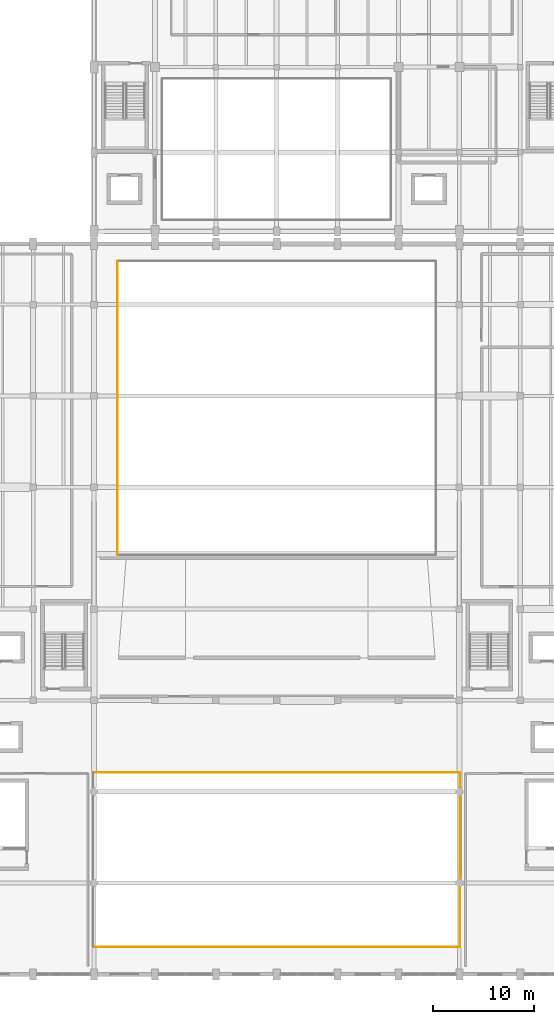
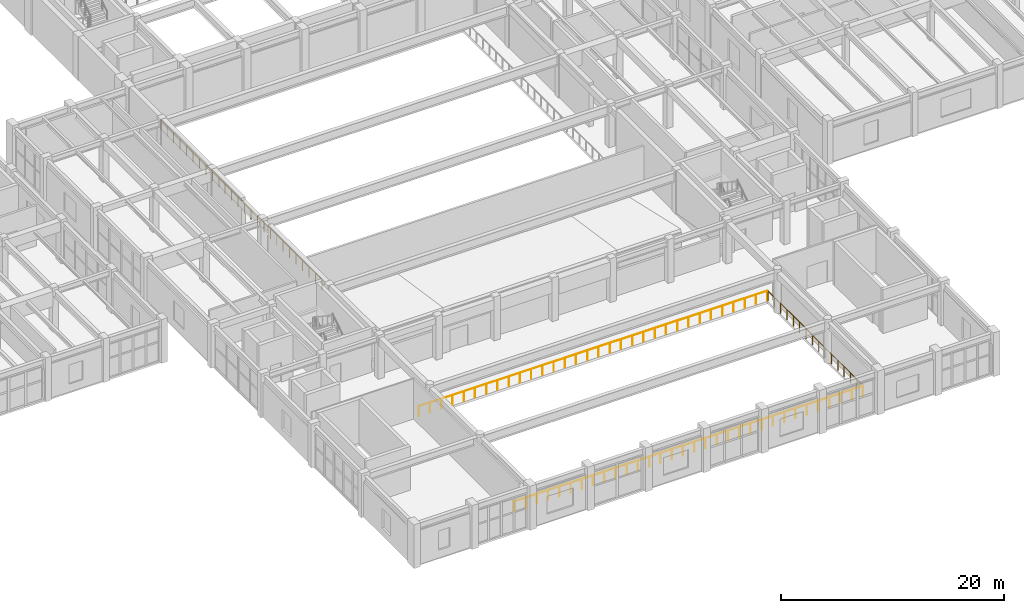
# One storey, part 71 of 80: 4 railings.
"""IFC4 building model written with IfcOpenShell, lengths in metres."""

from ifc_helpers import new_model, si_unit, direction, frame, origin, origin_2d, place, context, subcontext, project, spatial, circle, extrude, material, type_object, element, save


model = new_model("IFC4")

# Units and contexts
model_context = context("Model", 3, precision=1e-05, world=origin(), true_north=direction((0.0, 1.0)))
body_context = subcontext(model_context, "Body", "Model", "MODEL_VIEW")
ifc_project = project(units=[si_unit("LENGTHUNIT", "METRE"), si_unit("AREAUNIT", "SQUARE_METRE"), si_unit("VOLUMEUNIT", "CUBIC_METRE"), si_unit("PLANEANGLEUNIT", "RADIAN"), si_unit("MASSUNIT", "GRAM", prefix="KILO")], contexts=[model_context])

# Site, building, storey
site_placement = place(None, origin())
site = spatial("IfcSite", under=ifc_project, at=site_placement, CompositionType="ELEMENT")
building_placement = place(site_placement, origin())
building = spatial("IfcBuilding", under=site, at=building_placement, Name="Vaelkrest Opera House", CompositionType="ELEMENT")
storey_placement = place(building_placement, frame((0.0, 0.0, 15.0)))
storey = spatial("IfcBuildingStorey", under=building, at=storey_placement, Name="L03", CompositionType="ELEMENT", Elevation=15.0)

# Railings
ifc_material = material(Name="Dark bronze anodized aluminium", Category="aluminium")
railing_type = type_object("IfcRailingType", Name="BL01", PredefinedType="BALUSTRADE", material=ifc_material)
railing_1_placement = place(storey_placement, frame((-15.679931640625, 14.43994140625, 0.0)))
element("IfcRailing", 1, at=railing_1_placement, inside=storey, type_object=railing_type, Name="Atrium/stage void guard V1 L03-1 seg 4", PredefinedType="BALUSTRADE", context=body_context, shape_type="SweptSolid", body=[
    extrude(circle(Radius=0.02392578125, at=origin_2d()), frame((0.0, 0.0, 1.09619140625), z_axis=(0.0, -1.0, 0.0), x_axis=(1.0, 0.0, 0.0)), (0.0, 0.0, 1.0), 28.8798828125),
    extrude(circle(Radius=0.02099609375, at=origin_2d()), origin(), (0.0, 0.0, 1.0), 1.072021484375),
    extrude(circle(Radius=0.02099609375, at=origin_2d()), frame((0.0, -1.1552734375, 0.0)), (0.0, 0.0, 1.0), 1.072021484375),
    extrude(circle(Radius=0.02099609375, at=origin_2d()), frame((0.0, -2.310302734375, 0.0)), (0.0, 0.0, 1.0), 1.072021484375),
    extrude(circle(Radius=0.02099609375, at=origin_2d()), frame((0.0, -3.465576171875, 0.0)), (0.0, 0.0, 1.0), 1.072021484375),
    extrude(circle(Radius=0.02099609375, at=origin_2d()), frame((0.0, -4.620849609375, 0.0)), (0.0, 0.0, 1.0), 1.072021484375),
    extrude(circle(Radius=0.02099609375, at=origin_2d()), frame((0.0, -5.77587890625, 0.0)), (0.0, 0.0, 1.0), 1.072021484375),
    extrude(circle(Radius=0.02099609375, at=origin_2d()), frame((0.0, -6.93115234375, 0.0)), (0.0, 0.0, 1.0), 1.072021484375),
    extrude(circle(Radius=0.02099609375, at=origin_2d()), frame((0.0, -8.08642578125, 0.0)), (0.0, 0.0, 1.0), 1.072021484375),
    extrude(circle(Radius=0.02099609375, at=origin_2d()), frame((0.0, -9.241455078125, 0.0)), (0.0, 0.0, 1.0), 1.072021484375),
    extrude(circle(Radius=0.02099609375, at=origin_2d()), frame((0.0, -10.396728515625, 0.0)), (0.0, 0.0, 1.0), 1.072021484375),
    extrude(circle(Radius=0.02099609375, at=origin_2d()), frame((0.0, -11.552001953125, 0.0)), (0.0, 0.0, 1.0), 1.072021484375),
    extrude(circle(Radius=0.02099609375, at=origin_2d()), frame((0.0, -12.70703125, 0.0)), (0.0, 0.0, 1.0), 1.072021484375),
    extrude(circle(Radius=0.02099609375, at=origin_2d()), frame((0.0, -13.8623046875, 0.0)), (0.0, 0.0, 1.0), 1.072021484375),
    extrude(circle(Radius=0.02099609375, at=origin_2d()), frame((0.0, -15.017578125, 0.0)), (0.0, 0.0, 1.0), 1.072021484375),
    extrude(circle(Radius=0.02099609375, at=origin_2d()), frame((0.0, -16.1728515625, 0.0)), (0.0, 0.0, 1.0), 1.072021484375),
    extrude(circle(Radius=0.02099609375, at=origin_2d()), frame((0.0, -17.327880859375, 0.0)), (0.0, 0.0, 1.0), 1.072021484375),
    extrude(circle(Radius=0.02099609375, at=origin_2d()), frame((0.0, -18.483154296875, 0.0)), (0.0, 0.0, 1.0), 1.072021484375),
    extrude(circle(Radius=0.02099609375, at=origin_2d()), frame((0.0, -19.638427734375, 0.0)), (0.0, 0.0, 1.0), 1.072021484375),
    extrude(circle(Radius=0.02099609375, at=origin_2d()), frame((0.0, -20.79345703125, 0.0)), (0.0, 0.0, 1.0), 1.072021484375),
    extrude(circle(Radius=0.02099609375, at=origin_2d()), frame((0.0, -21.94873046875, 0.0)), (0.0, 0.0, 1.0), 1.072021484375),
    extrude(circle(Radius=0.02099609375, at=origin_2d()), frame((0.0, -23.10400390625, 0.0)), (0.0, 0.0, 1.0), 1.072021484375),
    extrude(circle(Radius=0.02099609375, at=origin_2d()), frame((0.0, -24.259033203125, 0.0)), (0.0, 0.0, 1.0), 1.072021484375),
    extrude(circle(Radius=0.02099609375, at=origin_2d()), frame((0.0, -25.414306640625, 0.0)), (0.0, 0.0, 1.0), 1.072021484375),
    extrude(circle(Radius=0.02099609375, at=origin_2d()), frame((0.0, -26.569580078125, 0.0)), (0.0, 0.0, 1.0), 1.072021484375),
    extrude(circle(Radius=0.02099609375, at=origin_2d()), frame((0.0, -27.724609375, 0.0)), (0.0, 0.0, 1.0), 1.072021484375),
    extrude(circle(Radius=0.02099609375, at=origin_2d()), frame((0.0, -28.8798828125, 0.0)), (0.0, 0.0, 1.0), 1.072021484375),
])
railing_2_placement = place(storey_placement, frame((-18.0400390625, -53.080078125, 0.0)))
element("IfcRailing", 2, at=railing_2_placement, inside=storey, type_object=railing_type, Name="Atrium/stage void guard V1 L03-2 seg 1", PredefinedType="BALUSTRADE", context=body_context, shape_type="SweptSolid", body=[
    extrude(circle(Radius=0.02392578125, at=origin_2d()), frame((0.0, 0.0, 1.09619140625), z_axis=(1.0, 0.0, 0.0), x_axis=(0.0, 1.0, 0.0)), (0.0, 0.0, 1.0), 36.080078125),
    extrude(circle(Radius=0.02099609375, at=origin_2d()), origin(), (0.0, 0.0, 1.0), 1.072021484375),
    extrude(circle(Radius=0.02099609375, at=origin_2d()), frame((1.163818359375, 0.0, 0.0)), (0.0, 0.0, 1.0), 1.072021484375),
    extrude(circle(Radius=0.02099609375, at=origin_2d()), frame((2.32763671875, 0.0, 0.0)), (0.0, 0.0, 1.0), 1.072021484375),
    extrude(circle(Radius=0.02099609375, at=origin_2d()), frame((3.49169921875, 0.0, 0.0)), (0.0, 0.0, 1.0), 1.072021484375),
    extrude(circle(Radius=0.02099609375, at=origin_2d()), frame((4.655517578125, 0.0, 0.0)), (0.0, 0.0, 1.0), 1.072021484375),
    extrude(circle(Radius=0.02099609375, at=origin_2d()), frame((5.8193359375, 0.0, 0.0)), (0.0, 0.0, 1.0), 1.072021484375),
    extrude(circle(Radius=0.02099609375, at=origin_2d()), frame((6.983154296875, 0.0, 0.0)), (0.0, 0.0, 1.0), 1.072021484375),
    extrude(circle(Radius=0.02099609375, at=origin_2d()), frame((8.147216796875, 0.0, 0.0)), (0.0, 0.0, 1.0), 1.072021484375),
    extrude(circle(Radius=0.02099609375, at=origin_2d()), frame((9.31103515625, 0.0, 0.0)), (0.0, 0.0, 1.0), 1.072021484375),
    extrude(circle(Radius=0.02099609375, at=origin_2d()), frame((10.474853515625, 0.0, 0.0)), (0.0, 0.0, 1.0), 1.072021484375),
    extrude(circle(Radius=0.02099609375, at=origin_2d()), frame((11.638671875, 0.0, 0.0)), (0.0, 0.0, 1.0), 1.072021484375),
    extrude(circle(Radius=0.02099609375, at=origin_2d()), frame((12.802490234375, 0.0, 0.0)), (0.0, 0.0, 1.0), 1.072021484375),
    extrude(circle(Radius=0.02099609375, at=origin_2d()), frame((13.966552734375, 0.0, 0.0)), (0.0, 0.0, 1.0), 1.072021484375),
    extrude(circle(Radius=0.02099609375, at=origin_2d()), frame((15.13037109375, 0.0, 0.0)), (0.0, 0.0, 1.0), 1.072021484375),
    extrude(circle(Radius=0.02099609375, at=origin_2d()), frame((16.294189453125, 0.0, 0.0)), (0.0, 0.0, 1.0), 1.072021484375),
    extrude(circle(Radius=0.02099609375, at=origin_2d()), frame((17.4580078125, 0.0, 0.0)), (0.0, 0.0, 1.0), 1.072021484375),
    extrude(circle(Radius=0.02099609375, at=origin_2d()), frame((18.6220703125, 0.0, 0.0)), (0.0, 0.0, 1.0), 1.072021484375),
    extrude(circle(Radius=0.02099609375, at=origin_2d()), frame((19.785888671875, 0.0, 0.0)), (0.0, 0.0, 1.0), 1.072021484375),
    extrude(circle(Radius=0.02099609375, at=origin_2d()), frame((20.94970703125, 0.0, 0.0)), (0.0, 0.0, 1.0), 1.072021484375),
    extrude(circle(Radius=0.02099609375, at=origin_2d()), frame((22.113525390625, 0.0, 0.0)), (0.0, 0.0, 1.0), 1.072021484375),
    extrude(circle(Radius=0.02099609375, at=origin_2d()), frame((23.277587890625, 0.0, 0.0)), (0.0, 0.0, 1.0), 1.072021484375),
    extrude(circle(Radius=0.02099609375, at=origin_2d()), frame((24.44140625, 0.0, 0.0)), (0.0, 0.0, 1.0), 1.072021484375),
    extrude(circle(Radius=0.02099609375, at=origin_2d()), frame((25.605224609375, 0.0, 0.0)), (0.0, 0.0, 1.0), 1.072021484375),
    extrude(circle(Radius=0.02099609375, at=origin_2d()), frame((26.76904296875, 0.0, 0.0)), (0.0, 0.0, 1.0), 1.072021484375),
    extrude(circle(Radius=0.02099609375, at=origin_2d()), frame((27.932861328125, 0.0, 0.0)), (0.0, 0.0, 1.0), 1.072021484375),
    extrude(circle(Radius=0.02099609375, at=origin_2d()), frame((29.096923828125, 0.0, 0.0)), (0.0, 0.0, 1.0), 1.072021484375),
    extrude(circle(Radius=0.02099609375, at=origin_2d()), frame((30.2607421875, 0.0, 0.0)), (0.0, 0.0, 1.0), 1.072021484375),
    extrude(circle(Radius=0.02099609375, at=origin_2d()), frame((31.424560546875, 0.0, 0.0)), (0.0, 0.0, 1.0), 1.072021484375),
    extrude(circle(Radius=0.02099609375, at=origin_2d()), frame((32.58837890625, 0.0, 0.0)), (0.0, 0.0, 1.0), 1.072021484375),
    extrude(circle(Radius=0.02099609375, at=origin_2d()), frame((33.75244140625, 0.0, 0.0)), (0.0, 0.0, 1.0), 1.072021484375),
    extrude(circle(Radius=0.02099609375, at=origin_2d()), frame((34.916259765625, 0.0, 0.0)), (0.0, 0.0, 1.0), 1.072021484375),
    extrude(circle(Radius=0.02099609375, at=origin_2d()), frame((36.080078125, 0.0, 0.0)), (0.0, 0.0, 1.0), 1.072021484375),
])
railing_3_placement = place(storey_placement, frame((18.080078125, -53.0400390625, 0.0)))
element("IfcRailing", 3, at=railing_3_placement, inside=storey, type_object=railing_type, Name="Atrium/stage void guard V1 L03-2 seg 2", PredefinedType="BALUSTRADE", context=body_context, shape_type="SweptSolid", body=[
    extrude(circle(Radius=0.02392578125, at=origin_2d()), frame((0.0, 0.0, 1.09619140625), z_axis=(0.0, 1.0, 0.0), x_axis=(-1.0, 0.0, 0.0)), (0.0, 0.0, 1.0), 17.080078125),
    extrude(circle(Radius=0.02099609375, at=origin_2d()), origin(), (0.0, 0.0, 1.0), 1.072021484375),
    extrude(circle(Radius=0.02099609375, at=origin_2d()), frame((0.0, 1.138671875, 0.0)), (0.0, 0.0, 1.0), 1.072021484375),
    extrude(circle(Radius=0.02099609375, at=origin_2d()), frame((0.0, 2.27734375, 0.0)), (0.0, 0.0, 1.0), 1.072021484375),
    extrude(circle(Radius=0.02099609375, at=origin_2d()), frame((0.0, 3.416015625, 0.0)), (0.0, 0.0, 1.0), 1.072021484375),
    extrude(circle(Radius=0.02099609375, at=origin_2d()), frame((0.0, 4.5546875, 0.0)), (0.0, 0.0, 1.0), 1.072021484375),
    extrude(circle(Radius=0.02099609375, at=origin_2d()), frame((0.0, 5.693359375, 0.0)), (0.0, 0.0, 1.0), 1.072021484375),
    extrude(circle(Radius=0.02099609375, at=origin_2d()), frame((0.0, 6.83203125, 0.0)), (0.0, 0.0, 1.0), 1.072021484375),
    extrude(circle(Radius=0.02099609375, at=origin_2d()), frame((0.0, 7.970703125, 0.0)), (0.0, 0.0, 1.0), 1.072021484375),
    extrude(circle(Radius=0.02099609375, at=origin_2d()), frame((0.0, 9.109375, 0.0)), (0.0, 0.0, 1.0), 1.072021484375),
    extrude(circle(Radius=0.02099609375, at=origin_2d()), frame((0.0, 10.248046875, 0.0)), (0.0, 0.0, 1.0), 1.072021484375),
    extrude(circle(Radius=0.02099609375, at=origin_2d()), frame((0.0, 11.38671875, 0.0)), (0.0, 0.0, 1.0), 1.072021484375),
    extrude(circle(Radius=0.02099609375, at=origin_2d()), frame((0.0, 12.525390625, 0.0)), (0.0, 0.0, 1.0), 1.072021484375),
    extrude(circle(Radius=0.02099609375, at=origin_2d()), frame((0.0, 13.6640625, 0.0)), (0.0, 0.0, 1.0), 1.072021484375),
    extrude(circle(Radius=0.02099609375, at=origin_2d()), frame((0.0, 14.802734375, 0.0)), (0.0, 0.0, 1.0), 1.072021484375),
    extrude(circle(Radius=0.02099609375, at=origin_2d()), frame((0.0, 15.94140625, 0.0)), (0.0, 0.0, 1.0), 1.072021484375),
    extrude(circle(Radius=0.02099609375, at=origin_2d()), frame((0.0, 17.080078125, 0.0)), (0.0, 0.0, 1.0), 1.072021484375),
])
railing_4_placement = place(storey_placement, frame((18.0400390625, -35.919921875, 0.0)))
element("IfcRailing", 4, at=railing_4_placement, inside=storey, type_object=railing_type, Name="Atrium/stage void guard V1 L03-2 seg 3", PredefinedType="BALUSTRADE", context=body_context, shape_type="SweptSolid", body=[
    extrude(circle(Radius=0.02392578125, at=origin_2d()), frame((0.0, 0.0, 1.09619140625), z_axis=(-1.0, 0.0, 0.0), x_axis=(0.0, -1.0, 0.0)), (0.0, 0.0, 1.0), 36.080078125),
    extrude(circle(Radius=0.02099609375, at=origin_2d()), origin(), (0.0, 0.0, 1.0), 1.072021484375),
    extrude(circle(Radius=0.02099609375, at=origin_2d()), frame((-1.163818359375, 0.0, 0.0)), (0.0, 0.0, 1.0), 1.072021484375),
    extrude(circle(Radius=0.02099609375, at=origin_2d()), frame((-2.32763671875, 0.0, 0.0)), (0.0, 0.0, 1.0), 1.072021484375),
    extrude(circle(Radius=0.02099609375, at=origin_2d()), frame((-3.49169921875, 0.0, 0.0)), (0.0, 0.0, 1.0), 1.072021484375),
    extrude(circle(Radius=0.02099609375, at=origin_2d()), frame((-4.655517578125, 0.0, 0.0)), (0.0, 0.0, 1.0), 1.072021484375),
    extrude(circle(Radius=0.02099609375, at=origin_2d()), frame((-5.8193359375, 0.0, 0.0)), (0.0, 0.0, 1.0), 1.072021484375),
    extrude(circle(Radius=0.02099609375, at=origin_2d()), frame((-6.983154296875, 0.0, 0.0)), (0.0, 0.0, 1.0), 1.072021484375),
    extrude(circle(Radius=0.02099609375, at=origin_2d()), frame((-8.147216796875, 0.0, 0.0)), (0.0, 0.0, 1.0), 1.072021484375),
    extrude(circle(Radius=0.02099609375, at=origin_2d()), frame((-9.31103515625, 0.0, 0.0)), (0.0, 0.0, 1.0), 1.072021484375),
    extrude(circle(Radius=0.02099609375, at=origin_2d()), frame((-10.474853515625, 0.0, 0.0)), (0.0, 0.0, 1.0), 1.072021484375),
    extrude(circle(Radius=0.02099609375, at=origin_2d()), frame((-11.638671875, 0.0, 0.0)), (0.0, 0.0, 1.0), 1.072021484375),
    extrude(circle(Radius=0.02099609375, at=origin_2d()), frame((-12.802490234375, 0.0, 0.0)), (0.0, 0.0, 1.0), 1.072021484375),
    extrude(circle(Radius=0.02099609375, at=origin_2d()), frame((-13.966552734375, 0.0, 0.0)), (0.0, 0.0, 1.0), 1.072021484375),
    extrude(circle(Radius=0.02099609375, at=origin_2d()), frame((-15.13037109375, 0.0, 0.0)), (0.0, 0.0, 1.0), 1.072021484375),
    extrude(circle(Radius=0.02099609375, at=origin_2d()), frame((-16.294189453125, 0.0, 0.0)), (0.0, 0.0, 1.0), 1.072021484375),
    extrude(circle(Radius=0.02099609375, at=origin_2d()), frame((-17.4580078125, 0.0, 0.0)), (0.0, 0.0, 1.0), 1.072021484375),
    extrude(circle(Radius=0.02099609375, at=origin_2d()), frame((-18.6220703125, 0.0, 0.0)), (0.0, 0.0, 1.0), 1.072021484375),
    extrude(circle(Radius=0.02099609375, at=origin_2d()), frame((-19.785888671875, 0.0, 0.0)), (0.0, 0.0, 1.0), 1.072021484375),
    extrude(circle(Radius=0.02099609375, at=origin_2d()), frame((-20.94970703125, 0.0, 0.0)), (0.0, 0.0, 1.0), 1.072021484375),
    extrude(circle(Radius=0.02099609375, at=origin_2d()), frame((-22.113525390625, 0.0, 0.0)), (0.0, 0.0, 1.0), 1.072021484375),
    extrude(circle(Radius=0.02099609375, at=origin_2d()), frame((-23.277587890625, 0.0, 0.0)), (0.0, 0.0, 1.0), 1.072021484375),
    extrude(circle(Radius=0.02099609375, at=origin_2d()), frame((-24.44140625, 0.0, 0.0)), (0.0, 0.0, 1.0), 1.072021484375),
    extrude(circle(Radius=0.02099609375, at=origin_2d()), frame((-25.605224609375, 0.0, 0.0)), (0.0, 0.0, 1.0), 1.072021484375),
    extrude(circle(Radius=0.02099609375, at=origin_2d()), frame((-26.76904296875, 0.0, 0.0)), (0.0, 0.0, 1.0), 1.072021484375),
    extrude(circle(Radius=0.02099609375, at=origin_2d()), frame((-27.932861328125, 0.0, 0.0)), (0.0, 0.0, 1.0), 1.072021484375),
    extrude(circle(Radius=0.02099609375, at=origin_2d()), frame((-29.096923828125, 0.0, 0.0)), (0.0, 0.0, 1.0), 1.072021484375),
    extrude(circle(Radius=0.02099609375, at=origin_2d()), frame((-30.2607421875, 0.0, 0.0)), (0.0, 0.0, 1.0), 1.072021484375),
    extrude(circle(Radius=0.02099609375, at=origin_2d()), frame((-31.424560546875, 0.0, 0.0)), (0.0, 0.0, 1.0), 1.072021484375),
    extrude(circle(Radius=0.02099609375, at=origin_2d()), frame((-32.58837890625, 0.0, 0.0)), (0.0, 0.0, 1.0), 1.072021484375),
    extrude(circle(Radius=0.02099609375, at=origin_2d()), frame((-33.75244140625, 0.0, 0.0)), (0.0, 0.0, 1.0), 1.072021484375),
    extrude(circle(Radius=0.02099609375, at=origin_2d()), frame((-34.916259765625, 0.0, 0.0)), (0.0, 0.0, 1.0), 1.072021484375),
    extrude(circle(Radius=0.02099609375, at=origin_2d()), frame((-36.080078125, 0.0, 0.0)), (0.0, 0.0, 1.0), 1.072021484375),
])

save(model, "model.ifc")
